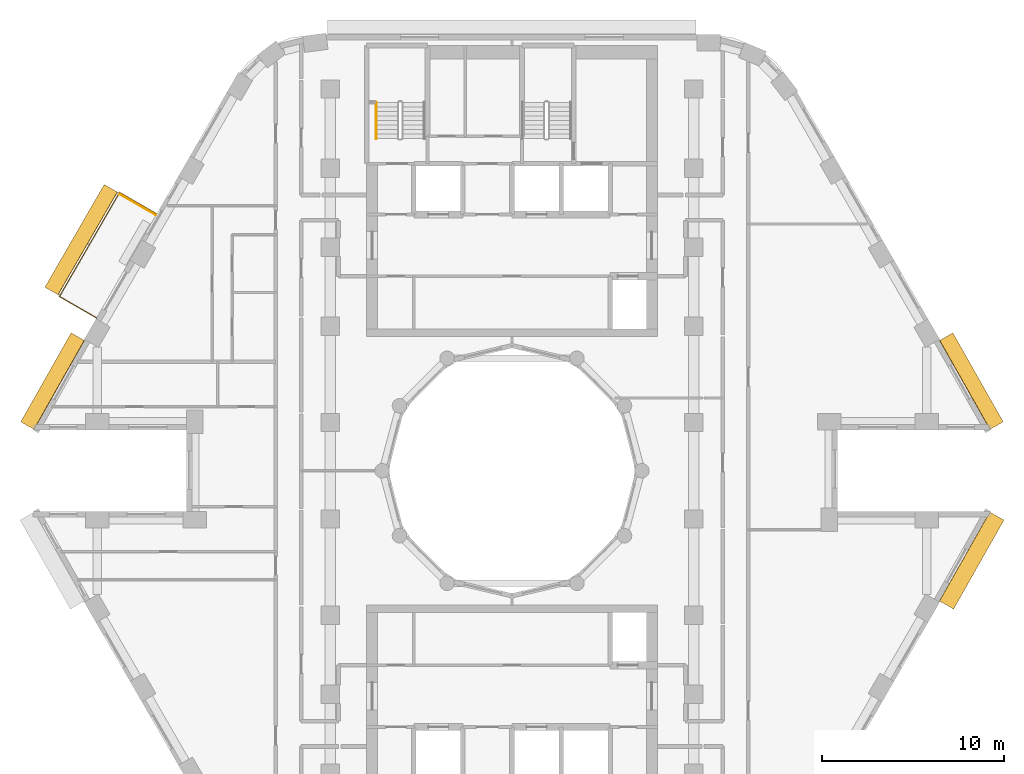
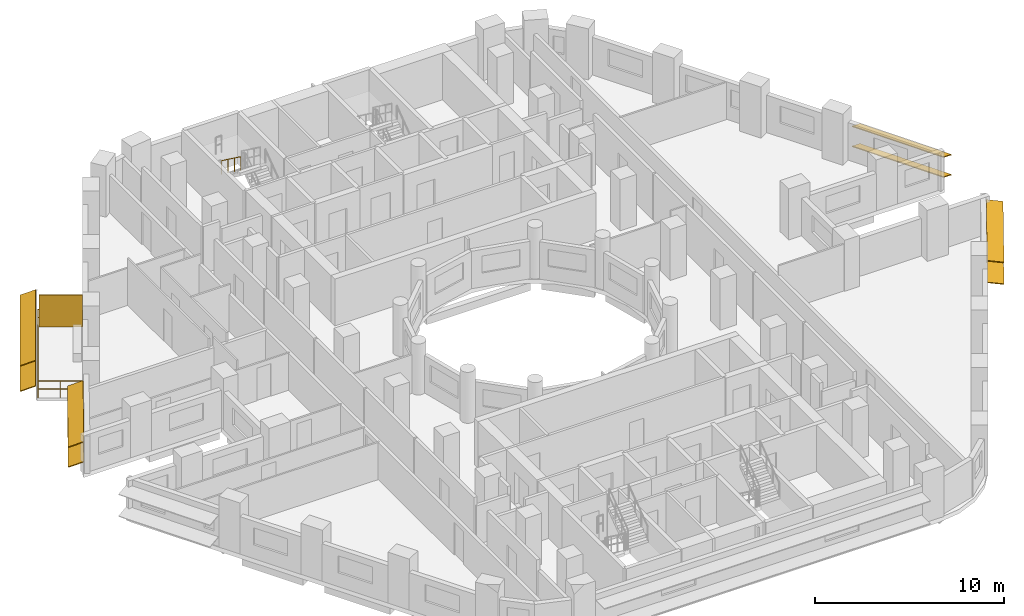
# One storey, part 12 of 13: 9 shading devices, 2 railings.
"""IFC4 building model written with IfcOpenShell, lengths in metres."""

from ifc_helpers import new_model, si_unit, direction, frame, origin, origin_2d, place, context, subcontext, project, spatial, rectangle, circle, extrude, material, layer, layer_set, material_profile, profile_set, type_object, element, save


model = new_model("IFC4")

# Units and contexts
model_context = context("Model", 3, precision=1e-05, world=origin(), true_north=direction((0.0, 1.0)))
body_context = subcontext(model_context, "Body", "Model", "MODEL_VIEW")
ifc_project = project(units=[si_unit("LENGTHUNIT", "METRE"), si_unit("AREAUNIT", "SQUARE_METRE"), si_unit("VOLUMEUNIT", "CUBIC_METRE"), si_unit("PLANEANGLEUNIT", "RADIAN"), si_unit("MASSUNIT", "GRAM", prefix="KILO")], contexts=[model_context])

# Site, building, storey
site_placement = place(None, origin())
site = spatial("IfcSite", under=ifc_project, at=site_placement, CompositionType="ELEMENT")
building_placement = place(site_placement, origin())
building = spatial("IfcBuilding", under=site, at=building_placement, Name="Nakaniwa Court", CompositionType="ELEMENT")
storey_placement = place(building_placement, frame((0.0, 0.0, 130.5)))
storey = spatial("IfcBuildingStorey", under=building, at=storey_placement, Name="L33", CompositionType="ELEMENT", Elevation=130.5)

# Railing
ifc_material_1 = material(Name="Black powder-coated steel flat bar balustrade S275", Category="steel")
railing_type_1 = type_object("IfcRailingType", Name="Black metal balcony guard 1100", PredefinedType="GUARDRAIL", material=ifc_material_1)
railing_1_placement = place(storey_placement, frame((60.44677734375, 94.133056640625, -0.050048828125)))
element("IfcRailing", 1, at=railing_1_placement, inside=storey, type_object=railing_type_1, Name="L33 balcony guard 01", PredefinedType="GUARDRAIL", context=body_context, shape_type="SweptSolid", body=[
    extrude(circle(Radius=0.02392578125, at=origin_2d()), frame((0.0, 0.0, 1.076171875), z_axis=(-0.866025363618, 0.50000006957, 0.0), x_axis=(-0.50000006957, -0.866025363618, 0.0)), (0.0, 0.0, 1.0), 2.35986328125),
    extrude(circle(Radius=0.02392578125, at=origin_2d()), frame((0.0, 0.0, 0.550048828125), z_axis=(-0.866025363618, 0.50000006957, 0.0), x_axis=(-0.50000006957, -0.866025363618, 0.0)), (0.0, 0.0, 1.0), 2.35986328125),
    extrude(circle(Radius=0.02392578125, at=origin_2d()), frame((-2.043701171875, 1.179931640625, 1.076171875), z_axis=(-0.500004921708, -0.866022562216, 0.0), x_axis=(0.866022562216, -0.500004921708, 0.0)), (0.0, 0.0, 1.0), 6.60888671875),
    extrude(circle(Radius=0.02392578125, at=origin_2d()), frame((-2.043701171875, 1.179931640625, 0.550048828125), z_axis=(-0.500004921708, -0.866022562216, 0.0), x_axis=(0.866022562216, -0.500004921708, 0.0)), (0.0, 0.0, 1.0), 6.60888671875),
    extrude(circle(Radius=0.02392578125, at=origin_2d()), frame((-5.34814453125, -4.54345703125, 1.076171875), z_axis=(0.866006432019, -0.500032858622, 0.0), x_axis=(0.500032858622, 0.866006432019, 0.0)), (0.0, 0.0, 1.0), 2.360107421875),
    extrude(circle(Radius=0.02392578125, at=origin_2d()), frame((-5.34814453125, -4.54345703125, 0.550048828125), z_axis=(0.866006432019, -0.500032858622, 0.0), x_axis=(0.500032858622, 0.866006432019, 0.0)), (0.0, 0.0, 1.0), 2.360107421875),
    extrude(circle(Radius=0.02099609375, at=origin_2d()), origin(), (0.0, 0.0, 1.0), 1.052001953125),
    extrude(circle(Radius=0.02099609375, at=origin_2d()), frame((-1.02197265625, 0.58984375, 0.0)), (0.0, 0.0, 1.0), 1.052001953125),
    extrude(circle(Radius=0.02099609375, at=origin_2d()), frame((-2.043701171875, 1.179931640625, 0.0)), (0.0, 0.0, 1.0), 1.052001953125),
    extrude(circle(Radius=0.02099609375, at=origin_2d()), frame((-2.594482421875, 0.22607421875, 0.0)), (0.0, 0.0, 1.0), 1.052001953125),
    extrude(circle(Radius=0.02099609375, at=origin_2d()), frame((-3.145263671875, -0.727783203125, 0.0)), (0.0, 0.0, 1.0), 1.052001953125),
    extrude(circle(Radius=0.02099609375, at=origin_2d()), frame((-3.69580078125, -1.681640625, 0.0)), (0.0, 0.0, 1.0), 1.052001953125),
    extrude(circle(Radius=0.02099609375, at=origin_2d()), frame((-4.24658203125, -2.6357421875, 0.0)), (0.0, 0.0, 1.0), 1.052001953125),
    extrude(circle(Radius=0.02099609375, at=origin_2d()), frame((-4.79736328125, -3.589599609375, 0.0)), (0.0, 0.0, 1.0), 1.052001953125),
    extrude(circle(Radius=0.02099609375, at=origin_2d()), frame((-5.34814453125, -4.54345703125, 0.0)), (0.0, 0.0, 1.0), 1.052001953125),
    extrude(circle(Radius=0.02099609375, at=origin_2d()), frame((-4.326171875, -5.133544921875, 0.0)), (0.0, 0.0, 1.0), 1.052001953125),
    extrude(circle(Radius=0.02099609375, at=origin_2d()), frame((-3.30419921875, -5.7236328125, 0.0)), (0.0, 0.0, 1.0), 1.052001953125),
])

# Shading devices
ifc_material_2 = material(Name="Black powder-coated aluminium slat screen", Category="aluminium")
ifc_layer = layer(ifc_material_2, 0.0400390625)
ifc_layer_set = layer_set([ifc_layer], Name="Black powder-coated aluminium slat screen")
shading_device_type_1 = type_object("IfcShadingDeviceType", Name="Koshi screen black metal", PredefinedType="USERDEFINED", material=ifc_layer_set)
shading_device_placement = place(storey_placement, frame((59.406494140625, 94.64111328125, -0.050048828125), z_axis=(0.0, 0.0, 1.0), x_axis=(-0.499975815814, -0.866039366081, 0.0)))
element("IfcShadingDevice", 2, at=shading_device_placement, inside=storey, type_object=shading_device_type_1, Name="L33 balcony SCREEN 01 W", ObjectType="KOSHI SCREEN", PredefinedType="USERDEFINED", context=body_context, shape_type="SweptSolid", body=[
    extrude(rectangle(XDim=0.0400390625, YDim=2.31005859375, at=origin_2d()), origin(), (0.0, 0.0, 1.0), 2.10009765625),
])
ifc_material_3 = material(Name="Perforated charcoal ceramic louvre blade")
ifc_material_profile = material_profile(ifc_material_3, rectangle(XDim=0.89990234375, YDim=0.050048828125, at=origin_2d()), Name="Perforated ceramic louvre blade")
ifc_profile_set = profile_set([ifc_material_profile], Name="Perforated charcoal ceramic louvre blade")
shading_device_type_2 = type_object("IfcShadingDeviceType", Name="Perforated ceramic louvre blade", PredefinedType="JALOUSIE", material=ifc_profile_set)
for number, where, z_axis, x_axis, name in (
    (3, (57.927978515625, 95.541015625, 0.5), (-0.499959831567, -0.866048593798, 0.0), (0.80012456997, -0.461902655462, 0.382683432365), "L33 perforated ceramic louvre blade 01 1"),
    (4, (57.927978515625, 95.541015625, 2.14990234375), (-0.499959831567, -0.866048593798, 0.0), (0.80012456997, -0.461902655462, 0.382683432365), "L33 perforated ceramic louvre blade 01 2"),
):
    element("IfcShadingDevice", number, at=place(storey_placement, frame(where, z_axis=z_axis, x_axis=x_axis)), inside=storey, type_object=shading_device_type_2, Name=name, PredefinedType="JALOUSIE", context=body_context, shape_type="SweptSolid", body=[
        extrude(rectangle(XDim=0.89990234375, YDim=0.050048828125, at=origin_2d()), origin(), (0.0, 0.0, 1.0), 6.52880859375),
    ])
for number, where, z_axis, x_axis, name in (
    (5, (106.662353515625, 82.48046875, 0.550048828125), (-0.49253187421, 0.870294405869, 0.0), (-0.804627241022, -0.455368390728, 0.38107037635), "L33 perforated ceramic louvre blade w02 1"),
    (6, (106.662353515625, 82.48046875, 1.845458984375), (-0.49253187421, 0.870294405869, 0.0), (-0.804627241022, -0.455368390728, 0.38107037635), "L33 perforated ceramic louvre blade w02 2"),
    (7, (56.10888671875, 87.377197265625, 0.550048828125), (-0.49253187421, -0.870294405869, 0.0), (0.804627241022, -0.455368390728, 0.38107037635), "L33 perforated ceramic louvre blade w14 1"),
    (8, (56.10888671875, 87.377197265625, 1.845458984375), (-0.49253187421, -0.870294405869, 0.0), (0.804627241022, -0.455368390728, 0.38107037635), "L33 perforated ceramic louvre blade w14 2"),
    (9, (103.911865234375, 72.611083984375, 0.550048828125), (0.49253187421, 0.870294405869, 0.0), (-0.862649339692, 0.488205247786, 0.132256390257), "L33 perforated ceramic louvre blade w32 1"),
    (10, (103.911865234375, 72.611083984375, 1.955810546875), (0.49253187421, 0.870294405869, 0.0), (-0.862649339692, 0.488205247786, 0.132256390257), "L33 perforated ceramic louvre blade w32 2"),
):
    element("IfcShadingDevice", number, at=place(storey_placement, frame(where, z_axis=z_axis, x_axis=x_axis)), inside=storey, type_object=shading_device_type_2, Name=name, PredefinedType="JALOUSIE", context=body_context, shape_type="SweptSolid", body=[
        extrude(rectangle(XDim=0.89990234375, YDim=0.050048828125, at=origin_2d()), origin(), (0.0, 0.0, 1.0), 5.62646484375),
    ])

# Railing
ifc_material_4 = material(Name="Black powder coated steel handrail", Category="steel")
railing_type_2 = type_object("IfcRailingType", Name="Stair handrail 900", PredefinedType="HANDRAIL", material=ifc_material_4)
railing_2_placement = place(storey_placement, frame((72.52490234375, 100.27490234375, 1.833251953125)))
element("IfcRailing", 11, at=railing_2_placement, inside=storey, type_object=railing_type_2, Name="L33 ST1 stair handrail 2", PredefinedType="HANDRAIL", context=body_context, shape_type="SweptSolid", body=[
    extrude(circle(Radius=0.02392578125, at=origin_2d()), frame((0.0, 0.0, 0.8759765625), z_axis=(0.0, -0.806379959628, 0.591397802423), x_axis=(1.0, 0.0, 0.0)), (0.0, 0.0, 1.0), 2.480224609375),
    extrude(circle(Radius=0.02099609375, at=origin_2d()), origin(), (0.0, 0.0, 1.0), 0.851806640625),
    extrude(circle(Radius=0.02099609375, at=origin_2d()), frame((0.0, -0.666748046875, 0.489013671875)), (0.0, 0.0, 1.0), 0.851806640625),
    extrude(circle(Radius=0.02099609375, at=origin_2d()), frame((0.0, -1.333251953125, 0.977783203125)), (0.0, 0.0, 1.0), 0.851806640625),
    extrude(circle(Radius=0.02099609375, at=origin_2d()), frame((0.0, -2.0, 1.466796875)), (0.0, 0.0, 1.0), 0.851806640625),
])

save(model, "model.ifc")
